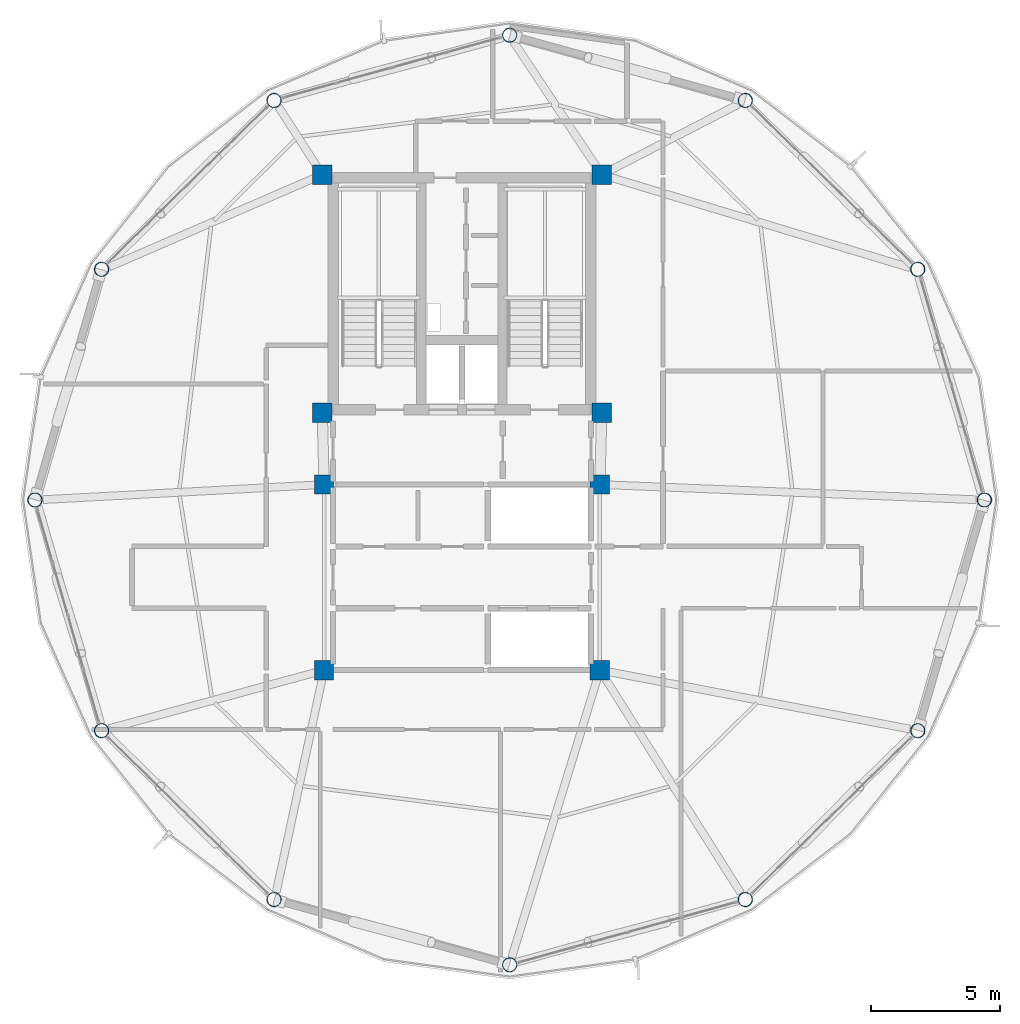
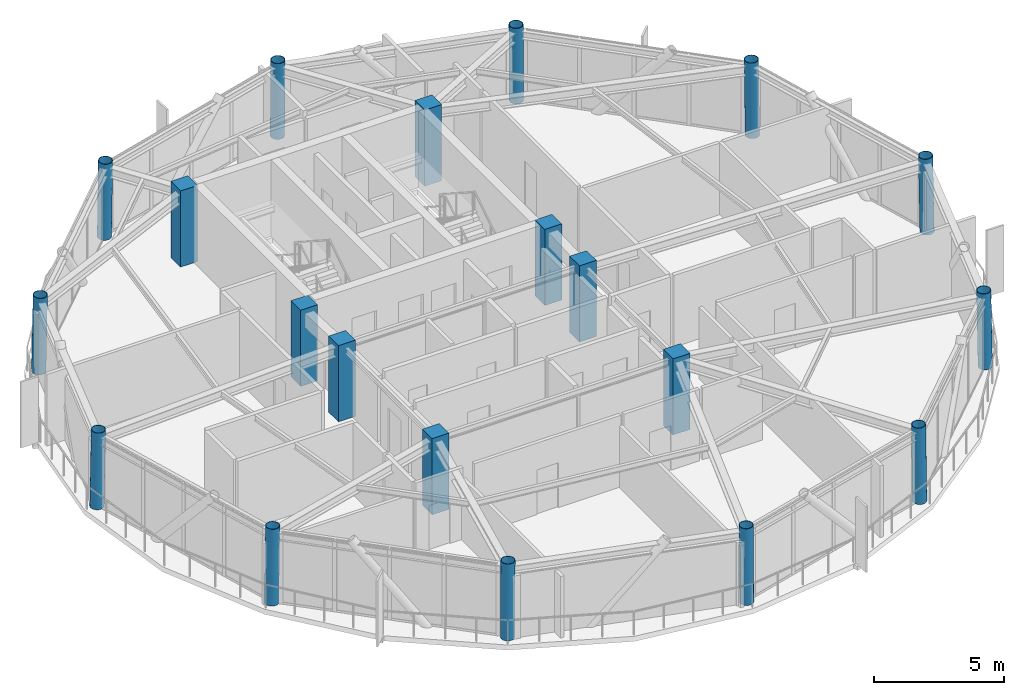
# One storey, part 1 of 25: 20 columns.
"""IFC4 building model written with IfcOpenShell, lengths in metres."""

import ifcopenshell
import ifcopenshell.guid

model = None  # the IFC model being written
_history = None  # IfcOwnerHistory: only IFC2X3 demands one
_inside = {}  # id of a spatial element -> (the spatial element, [elements in it])
_under = {}  # id of a project, library or spatial element -> (it, [spatial elements below it])
_declared = {}  # id of a project -> (the project, [libraries it declares])
_typed = {}  # id of a type object -> (the type object, [elements of that type])
_made_of = {}  # id of a material, layer set ... -> (it, [elements and type objects made of it])


def new_model(schema):
    """Start an empty IFC model of exactly this schema.

    Asked for "IFC4X3", IfcOpenShell would pick the latest addendum, in which some entities
    have other attributes; the version numbers below select the first issue.
    IFC2X3 requires an IfcOwnerHistory on every rooted entity: one is made here for all.
    """
    global model, _history
    if schema == "IFC4X3":
        model = ifcopenshell.file(schema_version=(4, 3, 0, 0))
    else:
        model = ifcopenshell.file(schema=schema)
    _inside.clear()
    _under.clear()
    _declared.clear()
    _typed.clear()
    _made_of.clear()
    _history = None
    if model.schema == "IFC2X3":
        org = make("IfcOrganization", Name="unknown")
        user = make(
            "IfcPersonAndOrganization",
            ThePerson=make("IfcPerson", FamilyName="unknown"),
            TheOrganization=org,
        )
        app = make(
            "IfcApplication",
            ApplicationDeveloper=org,
            Version="unknown",
            ApplicationFullName="unknown",
            ApplicationIdentifier="unknown",
        )
        _history = make(
            "IfcOwnerHistory",
            OwningUser=user,
            OwningApplication=app,
            ChangeAction="ADDED",
            CreationDate=0,
        )
    return model


def make(cls, **values):
    """One entity of the class cls with the attributes given. An attribute that is None is left unset."""
    return model.create_entity(
        cls, **{name: value for name, value in values.items() if value is not None}
    )


def rooted(cls, **values):
    """An entity with a GlobalId (a new one), such as an element, a storey or a relation."""
    return make(cls, GlobalId=ifcopenshell.guid.new(), OwnerHistory=_history, **values)


def si_unit(unit_type, name, prefix=None):
    """IfcSIUnit, for example si_unit("LENGTHUNIT", "METRE", prefix="MILLI")."""
    return make("IfcSIUnit", UnitType=unit_type, Prefix=prefix, Name=name)


def assignment(units):
    """IfcUnitAssignment: the units of a project."""
    return None if units is None else make("IfcUnitAssignment", Units=units)


def point(xyz):
    """IfcCartesianPoint."""
    return None if xyz is None else make("IfcCartesianPoint", Coordinates=xyz)


def direction(xyz):
    """IfcDirection."""
    return None if xyz is None else make("IfcDirection", DirectionRatios=xyz)


def frame(location, z_axis=None, x_axis=None):
    """IfcAxis2Placement3D, a coordinate frame: its origin and axes. An axis left out is left unset."""
    return make(
        "IfcAxis2Placement3D",
        Location=point(location),
        Axis=direction(z_axis),
        RefDirection=direction(x_axis),
    )


def frame_2d(location, x_axis=None):
    """IfcAxis2Placement2D, a coordinate frame in the plane: its origin and x axis."""
    return make(
        "IfcAxis2Placement2D", Location=point(location), RefDirection=direction(x_axis)
    )


def origin():
    """The frame at (0, 0, 0) with its axes left unset."""
    return frame((0.0, 0.0, 0.0))


def origin_2d():
    """The frame at (0, 0) in the plane with its x axis left unset."""
    return frame_2d((0.0, 0.0))


def place(relative_to, where):
    """IfcLocalPlacement: puts the frame where relative to a parent placement (None: the world)."""
    return make(
        "IfcLocalPlacement", PlacementRelTo=relative_to, RelativePlacement=where
    )


def context(
    kind, dimensions, precision=None, world=None, true_north=None, identifier=None
):
    """IfcGeometricRepresentationContext, for example the 3D "Model" context."""
    return make(
        "IfcGeometricRepresentationContext",
        ContextIdentifier=identifier,
        ContextType=kind,
        CoordinateSpaceDimension=dimensions,
        Precision=precision,
        WorldCoordinateSystem=world,
        TrueNorth=true_north,
    )


def subcontext(parent, identifier, kind, view, scale=None):
    """IfcGeometricRepresentationSubContext, for example "Body" below "Model"."""
    return make(
        "IfcGeometricRepresentationSubContext",
        ContextIdentifier=identifier,
        ContextType=kind,
        ParentContext=parent,
        TargetScale=scale,
        TargetView=view,
    )


def project(units=None, contexts=None):
    """IfcProject with its units and contexts."""
    return rooted(
        "IfcProject",
        Name="project",
        RepresentationContexts=contexts,
        UnitsInContext=assignment(units),
    )


def spatial(cls, under=None, at=None, **own):
    """A site, building, storey or space (cls), placed at a placement, below another one or the project."""
    s = rooted(cls, ObjectPlacement=at, **own)
    if under is not None:
        _under.setdefault(under.id(), (under, []))[1].append(s)
    return s


def profile(cls, at=None, kind="AREA", **sizes):
    """A parametric profile (cls). Its sizes go by their IFC names, for example OverallWidth=200.0."""
    return make(cls, ProfileType=kind, Position=at, **sizes)


def rectangle(**sizes):
    """IfcRectangleProfileDef."""
    return profile("IfcRectangleProfileDef", **sizes)


def hollow_circle(**sizes):
    """IfcCircleHollowProfileDef."""
    return profile("IfcCircleHollowProfileDef", **sizes)


def extrude(swept, where, along, depth):
    """IfcExtrudedAreaSolid: the profile swept, set in the frame where, extruded along a direction by depth."""
    return make(
        "IfcExtrudedAreaSolid",
        SweptArea=swept,
        Position=where,
        ExtrudedDirection=direction(along),
        Depth=depth,
    )


def shape(context_of_items, identifier, shape_type, items):
    """IfcShapeRepresentation: the items that make up one representation, for example the "Body"."""
    return make(
        "IfcShapeRepresentation",
        ContextOfItems=context_of_items,
        RepresentationIdentifier=identifier,
        RepresentationType=shape_type,
        Items=items,
    )


def material(Name=None, Category=None):
    """IfcMaterial."""
    return make("IfcMaterial", Name=Name, Category=Category)


def material_profile(
    of_material, cross_section, Name=None, Category=None, Priority=None
):
    """IfcMaterialProfile: a cross section and its material."""
    return make(
        "IfcMaterialProfile",
        Name=Name,
        Material=of_material,
        Profile=cross_section,
        Priority=Priority,
        Category=Category,
    )


def profile_set(profiles, Name=None, composite=None):
    """IfcMaterialProfileSet."""
    return make(
        "IfcMaterialProfileSet",
        Name=Name,
        MaterialProfiles=profiles,
        CompositeProfile=composite,
    )


def made_of(thing, what):
    """Note that an element or type object is made of a material, layer set ...; save() writes the relation."""
    if what is not None:
        _made_of.setdefault(what.id(), (what, []))[1].append(thing)
    return thing


def type_object(cls, material=None, **own):
    """A type object (cls), such as IfcWallType, which elements share."""
    return made_of(rooted(cls, **own), material)


def element(
    cls,
    number,
    at=None,
    inside=None,
    cuts=None,
    type_object=None,
    material=None,
    context=None,
    identifier="Body",
    shape_type=None,
    held_by="IfcProductDefinitionShape",
    body=None,
    shapes=None,
    **own,
):
    """One element of the class cls, such as IfcWall. Its Tag is "e" and its number.

    at: its placement. inside: the storey or other place that contains it. cuts: it is an
    opening in that element (IfcRelVoidsElement). A single representation is given by context,
    identifier, shape_type and body (its items); several are given by shapes. held_by: the class
    of the entity that holds the representations. save() writes the other relations.
    """
    e = rooted(cls, Tag="e%d" % number, ObjectPlacement=at, **own)
    if body is not None:
        shapes = [shape(context, identifier, shape_type, body)]
    if shapes is not None:
        e.Representation = make(held_by, Representations=shapes)
    if inside is not None:
        _inside.setdefault(inside.id(), (inside, []))[1].append(e)
    if cuts is not None:
        rooted(
            "IfcRelVoidsElement", RelatingBuildingElement=cuts, RelatedOpeningElement=e
        )
    if type_object is not None:
        _typed.setdefault(type_object.id(), (type_object, []))[1].append(e)
    return made_of(e, material)


def aggregate(whole, parts):
    """IfcRelAggregates: a whole, such as a stair, and the parts it consists of."""
    return rooted("IfcRelAggregates", RelatingObject=whole, RelatedObjects=parts)


def save(model, path):
    """Write the relations noted so far, then the file.

    IfcRelAggregates (storeys below a building ...), IfcRelContainedInSpatialStructure (elements
    in a storey), IfcRelDefinesByType, IfcRelAssociatesMaterial and IfcRelDeclares: one each for
    every whole, place, type object, material and project.
    """
    for whole, parts in _under.values():
        aggregate(whole, parts)
    for where, things in _inside.values():
        rooted(
            "IfcRelContainedInSpatialStructure",
            RelatedElements=things,
            RelatingStructure=where,
        )
    for kind, things in _typed.values():
        rooted("IfcRelDefinesByType", RelatedObjects=things, RelatingType=kind)
    for what, things in _made_of.values():
        rooted("IfcRelAssociatesMaterial", RelatedObjects=things, RelatingMaterial=what)
    for by, libraries in _declared.values():
        rooted("IfcRelDeclares", RelatingContext=by, RelatedDefinitions=libraries)
    model.write(path)


model = new_model("IFC4")

# Units and contexts
model_context = context("Model", 3, precision=1e-05, world=origin(), true_north=direction((0.0, 1.0)))
body_context = subcontext(model_context, "Body", "Model", "MODEL_VIEW")
ifc_project = project(units=[si_unit("LENGTHUNIT", "METRE"), si_unit("AREAUNIT", "SQUARE_METRE"), si_unit("VOLUMEUNIT", "CUBIC_METRE"), si_unit("PLANEANGLEUNIT", "RADIAN"), si_unit("MASSUNIT", "GRAM", prefix="KILO")], contexts=[model_context])

# Site, building, storey
site_placement = place(None, origin())
site = spatial("IfcSite", under=ifc_project, at=site_placement, CompositionType="ELEMENT")
building_placement = place(site_placement, origin())
building = spatial("IfcBuilding", under=site, at=building_placement, Name="Varnakorn Sky Granary", CompositionType="ELEMENT")
storey_placement = place(building_placement, frame((0.0, 0.0, 252.60009765625)))
storey = spatial("IfcBuildingStorey", under=building, at=storey_placement, Name="L64", CompositionType="ELEMENT", Elevation=252.60009765625)

# Columns
ifc_material_1 = material(Name="Steel S460M", Category="steel")
ifc_material_profile_1 = material_profile(ifc_material_1, hollow_circle(Radius=0.279541015625, WallThickness=0.02001953125, at=origin_2d()), Name="CHS 559x20")
ifc_profile_set_1 = profile_set([ifc_material_profile_1], Name="Steel S460M")
column_type_1 = type_object("IfcColumnType", Name="COL-DC-Z5", PredefinedType="COLUMN", material=ifc_profile_set_1)
column_1_placement = place(storey_placement, frame((23.277099609375, 0.0, 0.0), z_axis=(-0.018776993553, 0.0, 0.999823696715), x_axis=(0.0, -1.0, 0.0)))
element("IfcColumn", 1, at=column_1_placement, inside=storey, type_object=column_type_1, Name="Drum Perimeter Column DC01 L64", PredefinedType="COLUMN", context=body_context, shape_type="SweptSolid", body=[
    extrude(hollow_circle(Radius=0.279541015625, WallThickness=0.02001953125, at=origin_2d()), origin(), (0.0, 0.0, 1.0), 3.57568359375),
])
column_2_placement = place(storey_placement, frame((20.69140625, 8.951904296875, 0.0), z_axis=(-0.016251173122, -0.004711474561, 0.999856840442), x_axis=(0.278450000424, -0.960450726099, 0.0)))
element("IfcColumn", 2, at=column_2_placement, inside=storey, type_object=column_type_1, Name="Drum Perimeter Column DC02 L64", PredefinedType="COLUMN", context=body_context, shape_type="SweptSolid", body=[
    extrude(hollow_circle(Radius=0.279541015625, WallThickness=0.02001953125, at=origin_2d()), origin(), (0.0, 0.0, 1.0), 3.575439453125),
])
for number, where, z_axis, x_axis, name in (
    (3, (13.99609375, 15.50537109375, 0.0), (-0.009423558108, -0.008262685007, 0.99992145921), (0.659275739368, -0.75190125647, 0.0), "Drum Perimeter Column DC03 L64"),
    (4, (4.85009765625, 18.0390625, 0.0), (0.0, -0.00956044538, 0.999954297898), (1.0, 0.0, 0.0), "Drum Perimeter Column DC04 L64"),
    (5, (-4.2958984375, 15.50537109375, 0.0), (0.009355277453, -0.008262690305, 0.999922100332), (0.661983450847, 0.749518452612, 0.0), "Drum Perimeter Column DC05 L64"),
):
    element("IfcColumn", number, at=place(storey_placement, frame(where, z_axis=z_axis, x_axis=x_axis)), inside=storey, type_object=column_type_1, Name=name, PredefinedType="COLUMN", context=body_context, shape_type="SweptSolid", body=[
        extrude(hollow_circle(Radius=0.279541015625, WallThickness=0.02001953125, at=origin_2d()), origin(), (0.0, 0.0, 1.0), 3.5751953125),
    ])
column_3_placement = place(storey_placement, frame((-10.9912109375, 8.951904296875, 0.0), z_axis=(0.016182908802, -0.004711479778, 0.999857947621), x_axis=(0.279533267892, 0.960136007106, 0.0)))
element("IfcColumn", 6, at=column_3_placement, inside=storey, type_object=column_type_1, Name="Drum Perimeter Column DC06 L64", PredefinedType="COLUMN", context=body_context, shape_type="SweptSolid", body=[
    extrude(hollow_circle(Radius=0.279541015625, WallThickness=0.02001953125, at=origin_2d()), origin(), (0.0, 0.0, 1.0), 3.575439453125),
])
column_4_placement = place(storey_placement, frame((-13.576904296875, 0.0, 0.0), z_axis=(0.018708737519, 0.0, 0.999824976254), x_axis=(0.0, 1.0, 0.0)))
element("IfcColumn", 7, at=column_4_placement, inside=storey, type_object=column_type_1, Name="Drum Perimeter Column DC07 L64", PredefinedType="COLUMN", context=body_context, shape_type="SweptSolid", body=[
    extrude(hollow_circle(Radius=0.279541015625, WallThickness=0.02001953125, at=origin_2d()), origin(), (0.0, 0.0, 1.0), 3.57568359375),
])
column_5_placement = place(storey_placement, frame((-10.9912109375, -8.951904296875, 0.0), z_axis=(0.016182908802, 0.004711479778, 0.999857947621), x_axis=(-0.279533267892, 0.960136007106, 0.0)))
element("IfcColumn", 8, at=column_5_placement, inside=storey, type_object=column_type_1, Name="Drum Perimeter Column DC08 L64", PredefinedType="COLUMN", context=body_context, shape_type="SweptSolid", body=[
    extrude(hollow_circle(Radius=0.279541015625, WallThickness=0.02001953125, at=origin_2d()), origin(), (0.0, 0.0, 1.0), 3.575439453125),
])
for number, where, z_axis, x_axis, name in (
    (9, (-4.2958984375, -15.50537109375, 0.0), (0.009355277453, 0.008262690305, 0.999922100332), (-0.661983450847, 0.749518452612, 0.0), "Drum Perimeter Column DC09 L64"),
    (10, (4.85009765625, -18.0390625, 0.0), (0.0, 0.00956044538, 0.999954297898), (-1.0, 0.0, 0.0), "Drum Perimeter Column DC10 L64"),
    (11, (13.99609375, -15.50537109375, 0.0), (-0.009423558108, 0.008262685007, 0.99992145921), (-0.659275739368, -0.75190125647, 0.0), "Drum Perimeter Column DC11 L64"),
):
    element("IfcColumn", number, at=place(storey_placement, frame(where, z_axis=z_axis, x_axis=x_axis)), inside=storey, type_object=column_type_1, Name=name, PredefinedType="COLUMN", context=body_context, shape_type="SweptSolid", body=[
        extrude(hollow_circle(Radius=0.279541015625, WallThickness=0.02001953125, at=origin_2d()), origin(), (0.0, 0.0, 1.0), 3.5751953125),
    ])
column_6_placement = place(storey_placement, frame((20.69140625, -8.951904296875, 0.0), z_axis=(-0.016251173122, 0.004711474561, 0.999856840442), x_axis=(-0.278450000424, -0.960450726099, 0.0)))
element("IfcColumn", 12, at=column_6_placement, inside=storey, type_object=column_type_1, Name="Drum Perimeter Column DC12 L64", PredefinedType="COLUMN", context=body_context, shape_type="SweptSolid", body=[
    extrude(hollow_circle(Radius=0.279541015625, WallThickness=0.02001953125, at=origin_2d()), origin(), (0.0, 0.0, 1.0), 3.575439453125),
])
ifc_material_2 = material(Name="Concrete C50/60", Category="concrete")
ifc_material_profile_2 = material_profile(ifc_material_2, rectangle(XDim=0.75, YDim=0.75, at=origin_2d()), Name="RC 750x750")
ifc_profile_set_2 = profile_set([ifc_material_profile_2], Name="Concrete C50/60")
column_type_2 = type_object("IfcColumnType", Name="COL-MC-Z5", PredefinedType="COLUMN", material=ifc_profile_set_2)
for number, where, z_axis, x_axis, name in (
    (13, (-2.419921875, 12.6201171875, 0.0), (0.0, 0.0, 1.0), (1.0, 0.0, 0.0), "Backbone Mega-Column MC1 L64"),
    (14, (8.419921875, 12.6201171875, 0.0), (0.0, 0.0, 1.0), (1.0, 0.0, 0.0), "Backbone Mega-Column MC2 L64"),
    (15, (-2.419921875, 3.3798828125, 0.0), (0.0, 0.0, 1.0), (1.0, 0.0, 0.0), "Backbone Mega-Column MC3 L64"),
    (16, (8.419921875, 3.3798828125, 0.0), (0.0, 0.0, 1.0), (1.0, 0.0, 0.0), "Backbone Mega-Column MC4 L64"),
    (17, (-2.35009765625, 0.60009765625, 0.0), (0.0, 0.0, 1.0), (1.0, 0.0, 0.0), "Backbone Mega-Column MC5 L64"),
    (18, (8.35009765625, 0.60009765625, 0.0), (0.0, 0.0, 1.0), (1.0, 0.0, 0.0), "Backbone Mega-Column MC6 L64"),
    (19, (-2.35009765625, -6.60009765625, 0.0), (0.0, 0.0, 1.0), (1.0, 0.0, 0.0), "Backbone Mega-Column MC7 L64"),
    (20, (8.35009765625, -6.60009765625, 0.0), (0.0, 0.0, 1.0), (1.0, 0.0, 0.0), "Backbone Mega-Column MC8 L64"),
):
    element("IfcColumn", number, at=place(storey_placement, frame(where, z_axis=z_axis, x_axis=x_axis)), inside=storey, type_object=column_type_2, Name=name, PredefinedType="COLUMN", context=body_context, shape_type="SweptSolid", body=[
        extrude(rectangle(XDim=0.75, YDim=0.75, at=origin_2d()), origin(), (0.0, 0.0, 1.0), 3.574951171875),
    ])

save(model, "model.ifc")
